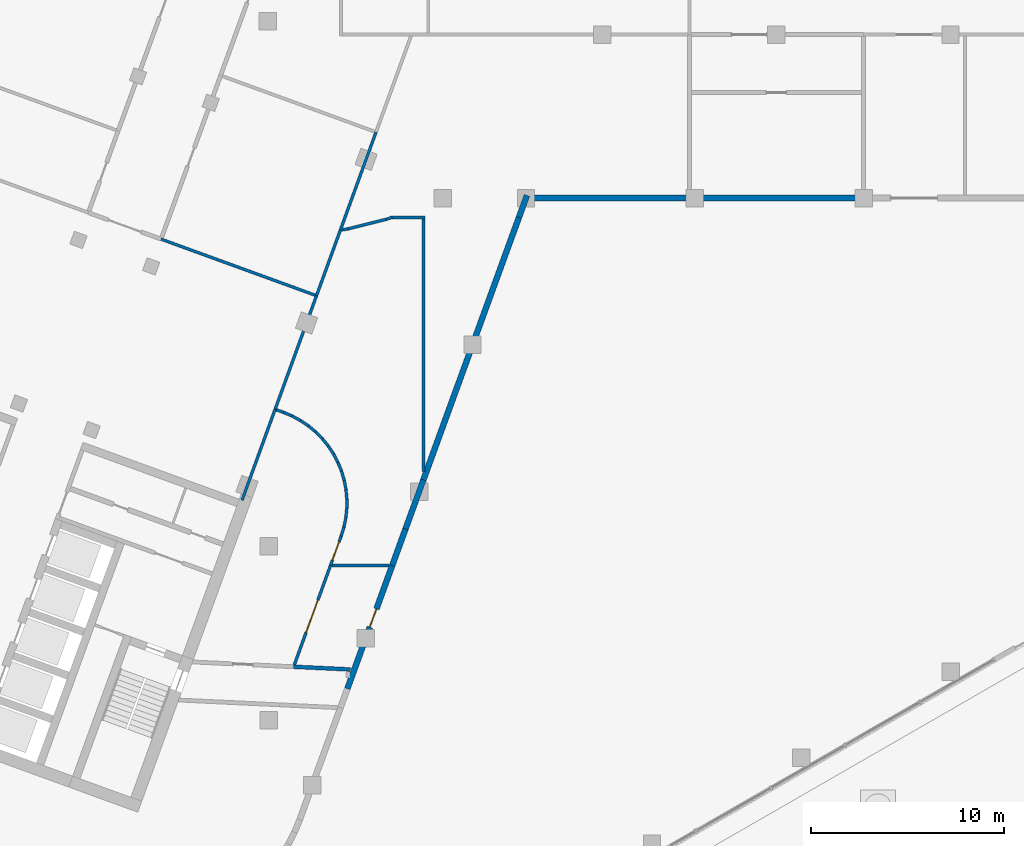
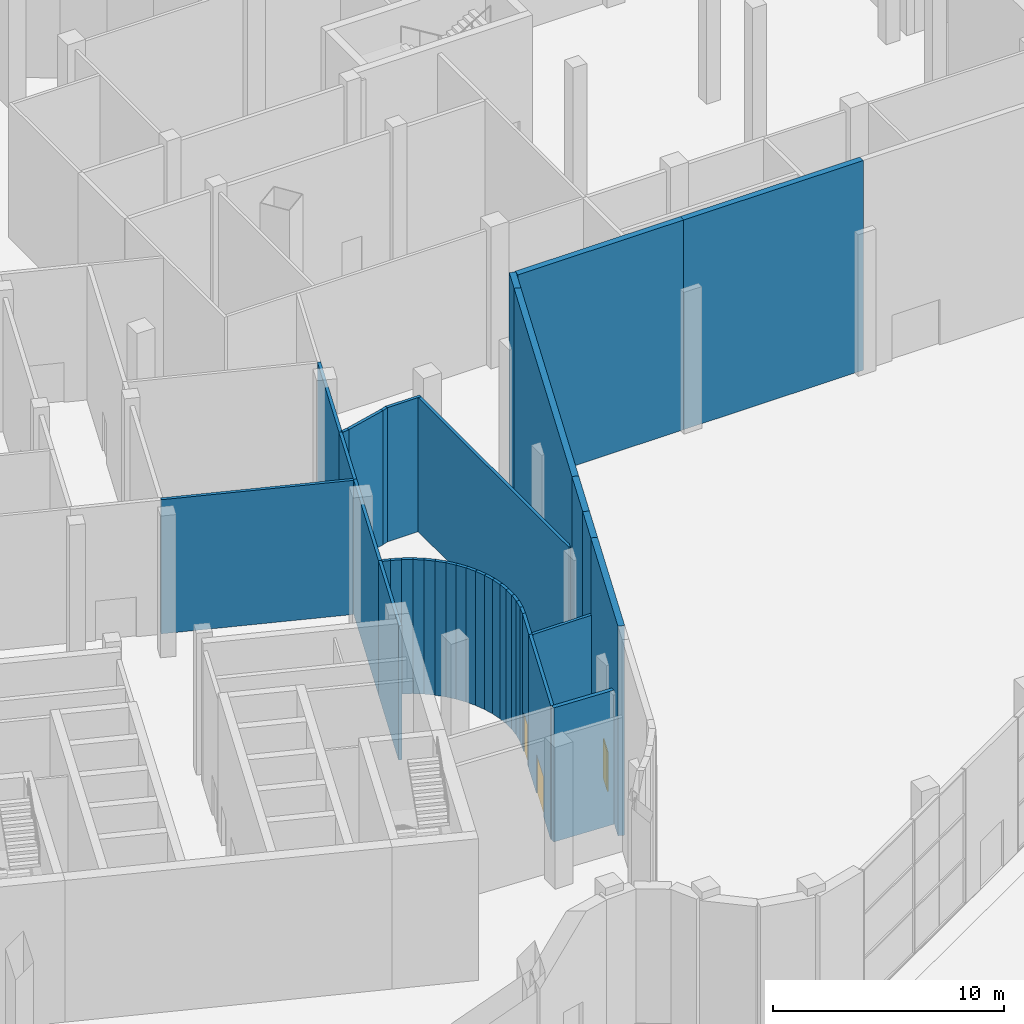
# One storey, part 14 of 30: 38 walls, 3 doors, 3 openings.
"""IFC4 building model written with IfcOpenShell, lengths in metres."""

from ifc_helpers import new_model, si_unit, direction, frame, frame_2d, origin, place, context, subcontext, project, spatial, rectangle, extrude, material, layer, layer_set, type_object, element, fill, save


model = new_model("IFC4")

# Units and contexts
model_context = context("Model", 3, precision=1e-05, world=origin(), true_north=direction((0.0, 1.0)))
body_context = subcontext(model_context, "Body", "Model", "MODEL_VIEW")
ifc_project = project(units=[si_unit("LENGTHUNIT", "METRE"), si_unit("AREAUNIT", "SQUARE_METRE"), si_unit("VOLUMEUNIT", "CUBIC_METRE"), si_unit("PLANEANGLEUNIT", "RADIAN"), si_unit("MASSUNIT", "GRAM", prefix="KILO")], contexts=[model_context])

# Site, building, storey
site_placement = place(None, origin())
site = spatial("IfcSite", under=ifc_project, at=site_placement, CompositionType="ELEMENT")
building_placement = place(site_placement, origin())
building = spatial("IfcBuilding", under=site, at=building_placement, Name="Skarvind Civic Tower", CompositionType="ELEMENT")
storey_placement = place(building_placement, origin())
storey = spatial("IfcBuildingStorey", under=building, at=storey_placement, Name="L00", CompositionType="ELEMENT", Elevation=0.0)

# Walls
ifc_material_1 = material(Name="Fire-rated blockwork wall, plastered", Category="masonry")
ifc_layer_1 = layer(ifc_material_1, 0.199951171875)
ifc_layer_set_1 = layer_set([ifc_layer_1], Name="FIRE WALL 200 EI 120")
wall_type_1 = type_object("IfcWallType", Name="FIRE WALL 200 EI 120", PredefinedType="PARTITIONING", material=ifc_layer_set_1)
wall_1_placement = place(storey_placement, frame((47.29296875, 84.77099609375, 0.0), z_axis=(0.0, 0.0, 1.0), x_axis=(0.99885982877, -0.047739317865, 0.0)))
element("IfcWall", 1, at=wall_1_placement, inside=storey, type_object=wall_type_1, Name="Podium partition L00 045", PredefinedType="PARTITIONING", context=body_context, shape_type="SweptSolid", body=[
    extrude(rectangle(XDim=2.930419921875, YDim=0.199951171875, at=frame_2d((1.46533203125, 0.0))), origin(), (0.0, 0.0, 1.0), 7.10009765625),
])
ifc_layer_2 = layer(ifc_material_1, 0.300048828125)
ifc_layer_set_2 = layer_set([ifc_layer_2], Name="FIRE WALL 300 EI 120")
wall_type_2 = type_object("IfcWallType", Name="FIRE WALL 300 EI 120", PredefinedType="PARTITIONING", material=ifc_layer_set_2)
wall_2_placement = place(storey_placement, frame((67.75, 109.0, 0.0), z_axis=(0.0, 0.0, 1.0), x_axis=(1.0, 0.0, 0.0)))
element("IfcWall", 2, at=wall_2_placement, inside=storey, type_object=wall_type_2, Name="Podium partition L00 097", PredefinedType="PARTITIONING", context=body_context, shape_type="SweptSolid", body=[
    extrude(rectangle(XDim=9.0, YDim=0.300048828125, at=frame_2d((4.5, 0.0))), origin(), (0.0, 0.0, 1.0), 11.10009765625),
])

# Wall, opening, door
ifc_material_2 = material(Name="Dense blockwork wall, plastered", Category="masonry")
ifc_layer_3 = layer(ifc_material_2, 0.300048828125)
ifc_layer_set_3 = layer_set([ifc_layer_3], Name="MASONRY WALL 300")
wall_type_3 = type_object("IfcWallType", Name="MASONRY WALL 300", PredefinedType="PARTITIONING", material=ifc_layer_set_3)
wall_3_placement = place(storey_placement, frame((52.387939453125, 90.0, 0.0), z_axis=(0.0, 0.0, 1.0), x_axis=(-0.342015169862, -0.939694430964, 0.0)))
wall_3 = element("IfcWall", 3, at=wall_3_placement, inside=storey, type_object=wall_type_3, Name="Podium partition L00 076", PredefinedType="PARTITIONING", context=body_context, shape_type="SweptSolid", body=[
    extrude(rectangle(XDim=6.771484375, YDim=0.300048828125, at=frame_2d((3.3857421875, 0.0))), origin(), (0.0, 0.0, 1.0), 11.10009765625),
])
opening_1_placement = place(wall_3_placement, frame((2.383056640625, 0.0, 0.0)))
opening_1 = element("IfcOpeningElement", 4, at=opening_1_placement, cuts=wall_3, Name="Opening L00-D211", PredefinedType="OPENING", context=body_context, shape_type="SweptSolid", body=[
    extrude(rectangle(XDim=1.0, YDim=2.10009765625, at=frame_2d((0.5, 1.050048828125))), frame((0.0, 0.159912109375, 0.0), z_axis=(0.0, -1.0, 0.0), x_axis=(1.0, 0.0, 0.0)), (0.0, 0.0, 1.0), 0.320068359375),
])
ifc_material_3 = material(Name="Timber veneer door leaf", Category="wood")
door_type_1 = type_object("IfcDoorType", Name="DOOR 1000X2100 TIMBER", OperationType="NOTDEFINED", PredefinedType="DOOR", material=ifc_material_3)
door_1_placement = place(opening_1_placement, origin())
door_1 = element("IfcDoor", 5, at=door_1_placement, inside=storey, type_object=door_type_1, Name="DOOR DOOR", OperationType="SINGLE_SWING_LEFT", OverallHeight=2.10009765625, OverallWidth=1.0, PredefinedType="DOOR", context=body_context, shape_type="SweptSolid", body=[
    extrude(rectangle(XDim=1.0, YDim=2.10009765625, at=frame_2d((0.5, 1.050048828125))), frame((0.0, 0.02490234375, 0.0), z_axis=(0.0, -1.0, 0.0), x_axis=(1.0, 0.0, 0.0)), (0.0, 0.0, 1.0), 0.050048828125),
])
fill(opening_1, door_1)

# Walls
wall_4_placement = place(storey_placement, frame((52.387939453125, 90.0, 0.0), z_axis=(0.0, 0.0, 1.0), x_axis=(0.342112398827, 0.939659037401, 0.0)))
element("IfcWall", 6, at=wall_4_placement, inside=storey, type_object=wall_type_3, Name="Podium partition L00 081", PredefinedType="PARTITIONING", context=body_context, shape_type="SweptSolid", body=[
    extrude(rectangle(XDim=2.0166015625, YDim=0.300048828125, at=frame_2d((1.00830078125, 0.0))), origin(), (0.0, 0.0, 1.0), 11.10009765625),
])
wall_5_placement = place(storey_placement, frame((53.077880859375, 91.89501953125, 0.0), z_axis=(0.0, 0.0, 1.0), x_axis=(0.342084828481, 0.939669074793, 0.0)))
element("IfcWall", 7, at=wall_5_placement, inside=storey, type_object=wall_type_3, Name="Podium partition L00 082", PredefinedType="PARTITIONING", context=body_context, shape_type="SweptSolid", body=[
    extrude(rectangle(XDim=2.695556640625, YDim=0.300048828125, at=frame_2d((1.34765625, 0.0))), origin(), (0.0, 0.0, 1.0), 11.10009765625),
])
wall_6_placement = place(storey_placement, frame((54.0, 94.427978515625, 0.0), z_axis=(0.0, 0.0, 1.0), x_axis=(0.342028064794, 0.939689737569, 0.0)))
element("IfcWall", 8, at=wall_6_placement, inside=storey, type_object=wall_type_3, Name="Podium partition L00 084", PredefinedType="PARTITIONING", context=body_context, shape_type="SweptSolid", body=[
    extrude(rectangle(XDim=14.443115234375, YDim=0.300048828125, at=frame_2d((7.2216796875, 0.0))), origin(), (0.0, 0.0, 1.0), 11.10009765625),
])
wall_7_placement = place(storey_placement, frame((58.93994140625, 108.0, 0.0), z_axis=(0.0, 0.0, 1.0), x_axis=(0.34180763736, 0.939769939423, 0.0)))
element("IfcWall", 9, at=wall_7_placement, inside=storey, type_object=wall_type_3, Name="Podium partition L00 090", PredefinedType="PARTITIONING", context=body_context, shape_type="SweptSolid", body=[
    extrude(rectangle(XDim=1.21435546875, YDim=0.300048828125, at=frame_2d((0.607177734375, 0.0))), origin(), (0.0, 0.0, 1.0), 11.10009765625),
])
wall_8_placement = place(storey_placement, frame((59.464111328125, 109.0, 0.0), z_axis=(0.0, 0.0, 1.0), x_axis=(1.0, 0.0, 0.0)))
element("IfcWall", 10, at=wall_8_placement, inside=storey, type_object=wall_type_3, Name="Podium partition L00 091", PredefinedType="PARTITIONING", context=body_context, shape_type="SweptSolid", body=[
    extrude(rectangle(XDim=8.285888671875, YDim=0.300048828125, at=frame_2d((4.14306640625, 0.0))), origin(), (0.0, 0.0, 1.0), 11.10009765625),
])
ifc_material_4 = material(Name="Plasterboard partition on steel studs", Category="steel")
ifc_layer_4 = layer(ifc_material_4, 0.14990234375)
ifc_layer_set_4 = layer_set([ifc_layer_4], Name="PARTITION 150")
wall_type_4 = type_object("IfcWallType", Name="PARTITION 150", PredefinedType="PARTITIONING", material=ifc_layer_set_4)
wall_9_placement = place(storey_placement, frame((40.43994140625, 106.8779296875, 0.0), z_axis=(0.0, 0.0, 1.0), x_axis=(0.939697516706, -0.342006691597, 0.0)))
element("IfcWall", 11, at=wall_9_placement, inside=storey, type_object=wall_type_4, Name="Podium partition L00 023", PredefinedType="PARTITIONING", context=body_context, shape_type="SweptSolid", body=[
    extrude(rectangle(XDim=8.476318359375, YDim=0.14990234375, at=frame_2d((4.23828125, 0.0))), origin(), (0.0, 0.0, 1.0), 7.10009765625),
])
wall_10_placement = place(storey_placement, frame((44.626953125, 93.382080078125, 0.0), z_axis=(0.0, 0.0, 1.0), x_axis=(0.342025351501, 0.939690725149, 0.0)))
element("IfcWall", 12, at=wall_10_placement, inside=storey, type_object=wall_type_4, Name="Podium partition L00 032", PredefinedType="PARTITIONING", context=body_context, shape_type="SweptSolid", body=[
    extrude(rectangle(XDim=4.99951171875, YDim=0.14990234375, at=frame_2d((2.499755859375, 0.0))), origin(), (0.0, 0.0, 1.0), 7.10009765625),
])
wall_11_placement = place(storey_placement, frame((46.406982421875, 98.053955078125, 0.0), z_axis=(0.0, 0.0, 1.0), x_axis=(0.939944328342, -0.341327789109, 0.0)))
element("IfcWall", 13, at=wall_11_placement, inside=storey, type_object=wall_type_4, Name="Podium partition L00 036", PredefinedType="PARTITIONING", context=body_context, shape_type="SweptSolid", body=[
    extrude(rectangle(XDim=0.377685546875, YDim=0.14990234375, at=frame_2d((0.18896484375, 0.0))), origin(), (0.0, 0.0, 1.0), 7.10009765625),
])
wall_12_placement = place(storey_placement, frame((46.3369140625, 98.080078125, 0.0), z_axis=(0.0, 0.0, 1.0), x_axis=(0.342113136459, 0.939658768842, 0.0)))
element("IfcWall", 14, at=wall_12_placement, inside=storey, type_object=wall_type_4, Name="Podium partition L00 037", PredefinedType="PARTITIONING", context=body_context, shape_type="SweptSolid", body=[
    extrude(rectangle(XDim=6.25, YDim=0.14990234375, at=frame_2d((3.125, 0.0))), origin(), (0.0, 0.0, 1.0), 7.10009765625),
])
wall_13_placement = place(storey_placement, frame((46.758056640625, 97.927001953125, 0.0), z_axis=(0.0, 0.0, 1.0), x_axis=(0.922024303007, -0.387131999019, 0.0)))
element("IfcWall", 15, at=wall_13_placement, inside=storey, type_object=wall_type_4, Name="Podium partition L00 041", PredefinedType="PARTITIONING", context=body_context, shape_type="SweptSolid", body=[
    extrude(rectangle(XDim=0.49560546875, YDim=0.14990234375, at=frame_2d((0.247802734375, 0.0))), origin(), (0.0, 0.0, 1.0), 7.10009765625),
])
wall_14_placement = place(storey_placement, frame((47.208984375, 97.738037109375, 0.0), z_axis=(0.0, 0.0, 1.0), x_axis=(0.878624509573, -0.47751332042, 0.0)))
element("IfcWall", 16, at=wall_14_placement, inside=storey, type_object=wall_type_4, Name="Podium partition L00 043", PredefinedType="PARTITIONING", context=body_context, shape_type="SweptSolid", body=[
    extrude(rectangle(XDim=0.49853515625, YDim=0.14990234375, at=frame_2d((0.249267578125, 0.0))), origin(), (0.0, 0.0, 1.0), 7.10009765625),
])

# Wall, opening, door
wall_15_placement = place(storey_placement, frame((49.196044921875, 90.0, 0.0), z_axis=(0.0, 0.0, 1.0), x_axis=(-0.34191897106, -0.939729438312, 0.0)))
wall_15 = element("IfcWall", 17, at=wall_15_placement, inside=storey, type_object=wall_type_4, Name="Podium partition L00 044", PredefinedType="PARTITIONING", context=body_context, shape_type="SweptSolid", body=[
    extrude(rectangle(XDim=5.460205078125, YDim=0.14990234375, at=frame_2d((2.72998046875, 0.0))), origin(), (0.0, 0.0, 1.0), 7.10009765625),
])
opening_2_placement = place(wall_15_placement, frame((1.883056640625, 0.0, 0.0)))
opening_2 = element("IfcOpeningElement", 18, at=opening_2_placement, cuts=wall_15, Name="Opening L00-D208", PredefinedType="OPENING", context=body_context, shape_type="SweptSolid", body=[
    extrude(rectangle(XDim=1.800048828125, YDim=2.10009765625, at=frame_2d((0.89990234375, 1.050048828125))), frame((0.0, 0.0849609375, 0.0), z_axis=(0.0, -1.0, 0.0), x_axis=(1.0, 0.0, 0.0)), (0.0, 0.0, 1.0), 0.169921875),
])
door_type_2 = type_object("IfcDoorType", Name="DOOR 1800X2100 DOUBLE TIMBER", OperationType="NOTDEFINED", PredefinedType="DOOR", material=ifc_material_3)
door_2_placement = place(opening_2_placement, origin())
door_2 = element("IfcDoor", 19, at=door_2_placement, inside=storey, type_object=door_type_2, Name="DOOR DOOR", OperationType="DOUBLE_DOOR_SINGLE_SWING", OverallHeight=2.10009765625, OverallWidth=1.800048828125, PredefinedType="DOOR", context=body_context, shape_type="SweptSolid", body=[
    extrude(rectangle(XDim=1.800048828125, YDim=2.10009765625, at=frame_2d((0.89990234375, 1.050048828125))), frame((0.0, 0.02490234375, 0.0), z_axis=(0.0, -1.0, 0.0), x_axis=(1.0, 0.0, 0.0)), (0.0, 0.0, 1.0), 0.050048828125),
])
fill(opening_2, door_2)

# Walls
wall_16_placement = place(storey_placement, frame((47.64111328125, 97.50390625, 0.0), z_axis=(0.0, 0.0, 1.0), x_axis=(0.829013848944, -0.559228073561, 0.0)))
element("IfcWall", 20, at=wall_16_placement, inside=storey, type_object=wall_type_4, Name="Podium partition L00 048", PredefinedType="PARTITIONING", context=body_context, shape_type="SweptSolid", body=[
    extrude(rectangle(XDim=0.496826171875, YDim=0.14990234375, at=frame_2d((0.24853515625, 0.0))), origin(), (0.0, 0.0, 1.0), 7.10009765625),
])
wall_17_placement = place(storey_placement, frame((48.047119140625, 97.22998046875, 0.0), z_axis=(0.0, 0.0, 1.0), x_axis=(0.770145329221, -0.637868459699, 0.0)))
element("IfcWall", 21, at=wall_17_placement, inside=storey, type_object=wall_type_4, Name="Podium partition L00 049", PredefinedType="PARTITIONING", context=body_context, shape_type="SweptSolid", body=[
    extrude(rectangle(XDim=0.498291015625, YDim=0.14990234375, at=frame_2d((0.2490234375, 0.0))), origin(), (0.0, 0.0, 1.0), 7.10009765625),
])
wall_18_placement = place(storey_placement, frame((48.425048828125, 96.9169921875, 0.0), z_axis=(0.0, 0.0, 1.0), x_axis=(0.702936615275, -0.711252497293, 0.0)))
element("IfcWall", 22, at=wall_18_placement, inside=storey, type_object=wall_type_4, Name="Podium partition L00 050", PredefinedType="PARTITIONING", context=body_context, shape_type="SweptSolid", body=[
    extrude(rectangle(XDim=0.4990234375, YDim=0.14990234375, at=frame_2d((0.24951171875, 0.0))), origin(), (0.0, 0.0, 1.0), 7.10009765625),
])
wall_19_placement = place(storey_placement, frame((48.47509765625, 103.952880859375, 0.0), z_axis=(0.0, 0.0, 1.0), x_axis=(0.341992779494, 0.939702579955, 0.0)))
element("IfcWall", 23, at=wall_19_placement, inside=storey, type_object=wall_type_4, Name="Podium partition L00 051", PredefinedType="PARTITIONING", context=body_context, shape_type="SweptSolid", body=[
    extrude(rectangle(XDim=3.61083984375, YDim=0.14990234375, at=frame_2d((1.805419921875, 0.0))), origin(), (0.0, 0.0, 1.0), 7.10009765625),
])
for number, where, z_axis, x_axis, name in (
    (24, (48.77099609375, 96.568115234375, 0.0), (0.0, 0.0, 1.0), (0.62863381992, -0.777701434004, 0.0), "Podium partition L00 052"),
    (25, (49.080078125, 96.18701171875, 0.0), (0.0, 0.0, 1.0), (0.552207910721, -0.833706437145, 0.0), "Podium partition L00 053"),
):
    element("IfcWall", number, at=place(storey_placement, frame(where, z_axis=z_axis, x_axis=x_axis)), inside=storey, type_object=wall_type_4, Name=name, PredefinedType="PARTITIONING", context=body_context, shape_type="SweptSolid", body=[
        extrude(rectangle(XDim=0.497802734375, YDim=0.14990234375, at=frame_2d((0.2490234375, 0.0))), origin(), (0.0, 0.0, 1.0), 7.10009765625),
    ])

# Wall, opening, door
wall_20_placement = place(storey_placement, frame((49.7490234375, 91.52001953125, 0.0), z_axis=(0.0, 0.0, 1.0), x_axis=(-0.341876370555, -0.93974493734, 0.0)))
wall_20 = element("IfcWall", 26, at=wall_20_placement, inside=storey, type_object=wall_type_4, Name="Podium partition L00 054", PredefinedType="PARTITIONING", context=body_context, shape_type="SweptSolid", body=[
    extrude(rectangle(XDim=1.617431640625, YDim=0.14990234375, at=frame_2d((0.80859375, 0.0))), origin(), (0.0, 0.0, 1.0), 7.10009765625),
])
opening_3_placement = place(wall_20_placement, frame((0.31103515625, 0.0, 0.0)))
opening_3 = element("IfcOpeningElement", 27, at=opening_3_placement, cuts=wall_20, Name="Opening L00-D209", PredefinedType="OPENING", context=body_context, shape_type="SweptSolid", body=[
    extrude(rectangle(XDim=1.0, YDim=2.10009765625, at=frame_2d((0.5, 1.050048828125))), frame((0.0, 0.0849609375, 0.0), z_axis=(0.0, -1.0, 0.0), x_axis=(1.0, 0.0, 0.0)), (0.0, 0.0, 1.0), 0.169921875),
])
door_3_placement = place(opening_3_placement, origin())
door_3 = element("IfcDoor", 28, at=door_3_placement, inside=storey, type_object=door_type_1, Name="DOOR DOOR", OperationType="SINGLE_SWING_RIGHT", OverallHeight=2.10009765625, OverallWidth=1.0, PredefinedType="DOOR", context=body_context, shape_type="SweptSolid", body=[
    extrude(rectangle(XDim=1.0, YDim=2.10009765625, at=frame_2d((0.5, 1.050048828125))), frame((0.0, 0.02490234375, 0.0), z_axis=(0.0, -1.0, 0.0), x_axis=(1.0, 0.0, 0.0)), (0.0, 0.0, 1.0), 0.050048828125),
])
fill(opening_3, door_3)

# Walls
wall_21_placement = place(storey_placement, frame((49.27587890625, 90.0, 0.0), z_axis=(0.0, 0.0, 1.0), x_axis=(1.0, 0.0, 0.0)))
element("IfcWall", 29, at=wall_21_placement, inside=storey, type_object=wall_type_4, Name="Podium partition L00 055", PredefinedType="PARTITIONING", context=body_context, shape_type="SweptSolid", body=[
    extrude(rectangle(XDim=2.9521484375, YDim=0.14990234375, at=frame_2d((1.47607421875, 0.0))), origin(), (0.0, 0.0, 1.0), 7.10009765625),
])
wall_22_placement = place(storey_placement, frame((49.35107421875, 95.778076171875, 0.0), z_axis=(0.0, 0.0, 1.0), x_axis=(0.46615085347, -0.884705251374, 0.0)))
element("IfcWall", 30, at=wall_22_placement, inside=storey, type_object=wall_type_4, Name="Podium partition L00 056", PredefinedType="PARTITIONING", context=body_context, shape_type="SweptSolid", body=[
    extrude(rectangle(XDim=0.49755859375, YDim=0.14990234375, at=frame_2d((0.248779296875, 0.0))), origin(), (0.0, 0.0, 1.0), 7.10009765625),
])
wall_23_placement = place(storey_placement, frame((49.580078125, 95.343994140625, 0.0), z_axis=(0.0, 0.0, 1.0), x_axis=(0.378326719955, -0.925672130383, 0.0)))
element("IfcWall", 31, at=wall_23_placement, inside=storey, type_object=wall_type_4, Name="Podium partition L00 057", PredefinedType="PARTITIONING", context=body_context, shape_type="SweptSolid", body=[
    extrude(rectangle(XDim=0.496826171875, YDim=0.14990234375, at=frame_2d((0.24853515625, 0.0))), origin(), (0.0, 0.0, 1.0), 7.10009765625),
])
wall_24_placement = place(storey_placement, frame((49.7939453125, 107.35888671875, 0.0), z_axis=(0.0, 0.0, 1.0), x_axis=(0.988901730308, 0.148571086668, 0.0)))
element("IfcWall", 32, at=wall_24_placement, inside=storey, type_object=wall_type_4, Name="Podium partition L00 059", PredefinedType="PARTITIONING", context=body_context, shape_type="SweptSolid", body=[
    extrude(rectangle(XDim=0.310546875, YDim=0.14990234375, at=frame_2d((0.1552734375, 0.0))), origin(), (0.0, 0.0, 1.0), 7.10009765625),
])
wall_25_placement = place(storey_placement, frame((49.7099609375, 107.345947265625, 0.0), z_axis=(0.0, 0.0, 1.0), x_axis=(0.341943087223, 0.939720663336, 0.0)))
element("IfcWall", 33, at=wall_25_placement, inside=storey, type_object=wall_type_4, Name="Podium partition L00 060", PredefinedType="PARTITIONING", context=body_context, shape_type="SweptSolid", body=[
    extrude(rectangle(XDim=5.389892578125, YDim=0.14990234375, at=frame_2d((2.69482421875, 0.0))), origin(), (0.0, 0.0, 1.0), 7.10009765625),
])
wall_26_placement = place(storey_placement, frame((49.7470703125, 91.51611328125, 0.0), z_axis=(0.0, 0.0, 1.0), x_axis=(0.296228958727, 0.955116958289, 0.0)))
element("IfcWall", 34, at=wall_26_placement, inside=storey, type_object=wall_type_4, Name="Podium partition L00 061", PredefinedType="PARTITIONING", context=body_context, shape_type="SweptSolid", body=[
    extrude(rectangle(XDim=0.49609375, YDim=0.14990234375, at=frame_2d((0.248046875, 0.0))), origin(), (0.0, 0.0, 1.0), 7.10009765625),
])
wall_27_placement = place(storey_placement, frame((49.76611328125, 94.89111328125, 0.0), z_axis=(0.0, 0.0, 1.0), x_axis=(0.283938571221, -0.958842472867, 0.0)))
element("IfcWall", 35, at=wall_27_placement, inside=storey, type_object=wall_type_4, Name="Podium partition L00 069", PredefinedType="PARTITIONING", context=body_context, shape_type="SweptSolid", body=[
    extrude(rectangle(XDim=0.49951171875, YDim=0.14990234375, at=frame_2d((0.249755859375, 0.0))), origin(), (0.0, 0.0, 1.0), 7.10009765625),
])
wall_28_placement = place(storey_placement, frame((49.89208984375, 91.98291015625, 0.0), z_axis=(0.0, 0.0, 1.0), x_axis=(0.202330199798, 0.979317359312, 0.0)))
element("IfcWall", 36, at=wall_28_placement, inside=storey, type_object=wall_type_4, Name="Podium partition L00 070", PredefinedType="PARTITIONING", context=body_context, shape_type="SweptSolid", body=[
    extrude(rectangle(XDim=0.498291015625, YDim=0.14990234375, at=frame_2d((0.2490234375, 0.0))), origin(), (0.0, 0.0, 1.0), 7.10009765625),
])
wall_29_placement = place(storey_placement, frame((49.906005859375, 94.419921875, 0.0), z_axis=(0.0, 0.0, 1.0), x_axis=(0.190646652196, -0.981658725834, 0.0)))
element("IfcWall", 37, at=wall_29_placement, inside=storey, type_object=wall_type_4, Name="Podium partition L00 071", PredefinedType="PARTITIONING", context=body_context, shape_type="SweptSolid", body=[
    extrude(rectangle(XDim=0.498046875, YDim=0.14990234375, at=frame_2d((0.2490234375, 0.0))), origin(), (0.0, 0.0, 1.0), 7.10009765625),
])
wall_30_placement = place(storey_placement, frame((49.991943359375, 92.462890625, 0.0), z_axis=(0.0, 0.0, 1.0), x_axis=(0.102314560958, 0.994752095055, 0.0)))
element("IfcWall", 38, at=wall_30_placement, inside=storey, type_object=wall_type_4, Name="Podium partition L00 072", PredefinedType="PARTITIONING", context=body_context, shape_type="SweptSolid", body=[
    extrude(rectangle(XDim=0.498779296875, YDim=0.14990234375, at=frame_2d((0.24951171875, 0.0))), origin(), (0.0, 0.0, 1.0), 7.10009765625),
])
for number, where, z_axis, x_axis, name in (
    (39, (50.0, 93.93896484375, 0.0), (0.0, 0.0, 1.0), (0.090006472106, -0.995941180482, 0.0), "Podium partition L00 073"),
    (40, (50.04296875, 92.950927734375, 0.0), (0.0, 0.0, 1.0), (0.003913864348, 0.999992340804, 0.0), "Podium partition L00 074"),
):
    element("IfcWall", number, at=place(storey_placement, frame(where, z_axis=z_axis, x_axis=x_axis)), inside=storey, type_object=wall_type_4, Name=name, PredefinedType="PARTITIONING", context=body_context, shape_type="SweptSolid", body=[
        extrude(rectangle(XDim=0.4990234375, YDim=0.14990234375, at=frame_2d((0.24951171875, 0.0))), origin(), (0.0, 0.0, 1.0), 7.10009765625),
    ])
wall_31_placement = place(storey_placement, frame((50.093017578125, 107.403076171875, 0.0), z_axis=(0.0, 0.0, 1.0), x_axis=(0.970121672102, 0.24261892201, 0.0)))
element("IfcWall", 41, at=wall_31_placement, inside=storey, type_object=wall_type_4, Name="Podium partition L00 077", PredefinedType="PARTITIONING", context=body_context, shape_type="SweptSolid", body=[
    extrude(rectangle(XDim=2.06884765625, YDim=0.14990234375, at=frame_2d((1.034423828125, 0.0))), origin(), (0.0, 0.0, 1.0), 7.10009765625),
])
wall_32_placement = place(storey_placement, frame((52.093017578125, 107.903076171875, 0.0), z_axis=(0.0, 0.0, 1.0), x_axis=(0.941980718737, 0.335666986056, 0.0)))
element("IfcWall", 42, at=wall_32_placement, inside=storey, type_object=wall_type_4, Name="Podium partition L00 079", PredefinedType="PARTITIONING", context=body_context, shape_type="SweptSolid", body=[
    extrude(rectangle(XDim=0.30029296875, YDim=0.14990234375, at=frame_2d((0.150146484375, 0.0))), origin(), (0.0, 0.0, 1.0), 7.10009765625),
])
wall_33_placement = place(storey_placement, frame((52.35107421875, 108.0, 0.0), z_axis=(0.0, 0.0, 1.0), x_axis=(1.0, 0.0, 0.0)))
element("IfcWall", 43, at=wall_33_placement, inside=storey, type_object=wall_type_4, Name="Podium partition L00 080", PredefinedType="PARTITIONING", context=body_context, shape_type="SweptSolid", body=[
    extrude(rectangle(XDim=1.723876953125, YDim=0.14990234375, at=frame_2d((0.86181640625, 0.0))), origin(), (0.0, 0.0, 1.0), 7.10009765625),
])
wall_34_placement = place(storey_placement, frame((54.0, 94.85693359375, 0.0), z_axis=(0.0, 0.0, 1.0), x_axis=(0.0, 1.0, 0.0)))
element("IfcWall", 44, at=wall_34_placement, inside=storey, type_object=wall_type_4, Name="Podium partition L00 083", PredefinedType="PARTITIONING", context=body_context, shape_type="SweptSolid", body=[
    extrude(rectangle(XDim=13.068115234375, YDim=0.14990234375, at=frame_2d((6.5341796875, 0.0))), origin(), (0.0, 0.0, 1.0), 7.10009765625),
])

save(model, "model.ifc")
